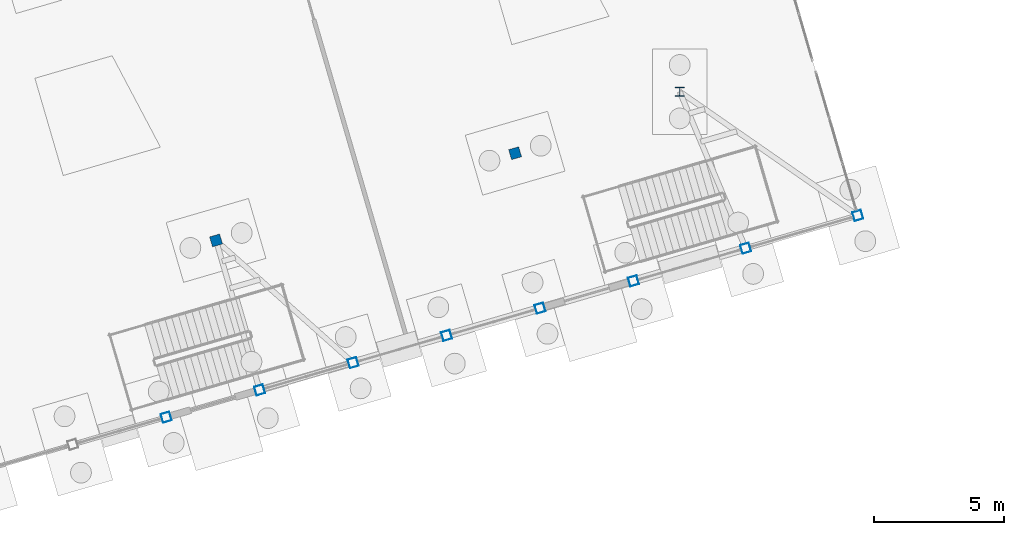
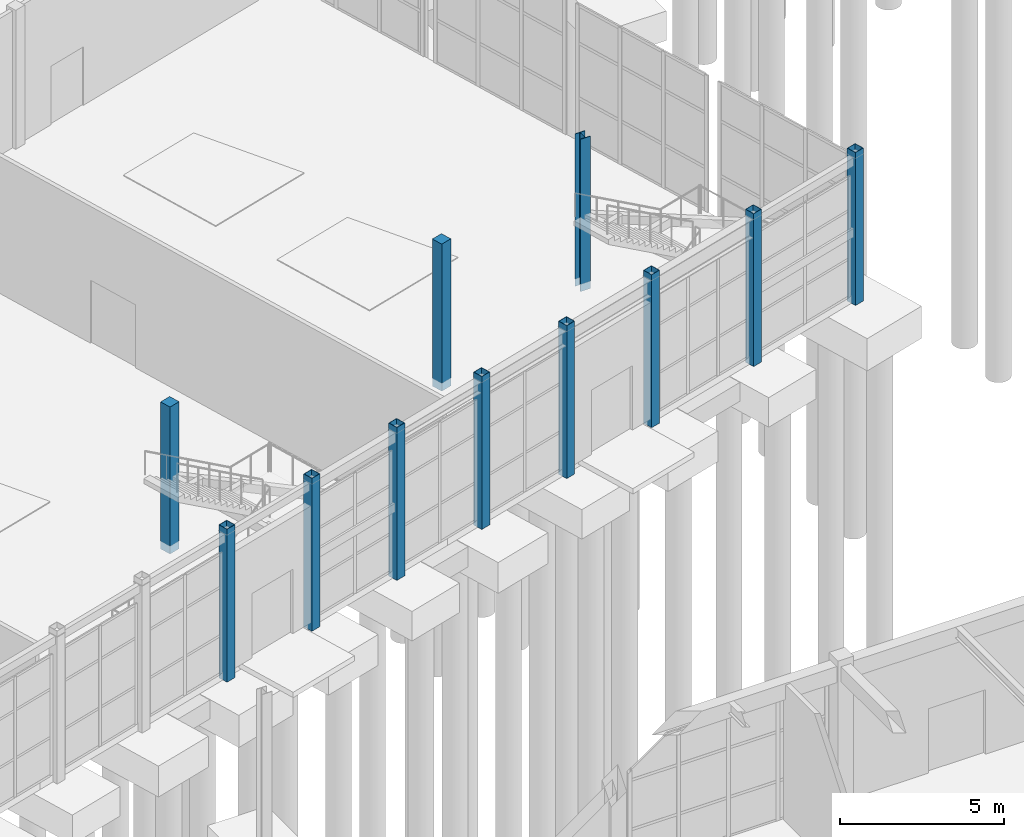
# One storey, part 8 of 90: 11 columns.
"""IFC4 building model written with IfcOpenShell, lengths in metres."""

from ifc_helpers import new_model, si_unit, direction, frame, origin, origin_2d, place, context, subcontext, project, spatial, rectangle, hollow_rectangle, i_section, extrude, material, material_profile, profile_set, type_object, element, save


model = new_model("IFC4")

# Units and contexts
model_context = context("Model", 3, precision=1e-05, world=origin(), true_north=direction((0.0, 1.0)))
body_context = subcontext(model_context, "Body", "Model", "MODEL_VIEW")
ifc_project = project(units=[si_unit("LENGTHUNIT", "METRE"), si_unit("AREAUNIT", "SQUARE_METRE"), si_unit("VOLUMEUNIT", "CUBIC_METRE"), si_unit("PLANEANGLEUNIT", "RADIAN"), si_unit("MASSUNIT", "GRAM", prefix="KILO")], contexts=[model_context])

# Site, building, storey
site_placement = place(None, origin())
site = spatial("IfcSite", under=ifc_project, at=site_placement, CompositionType="ELEMENT")
building_placement = place(site_placement, origin())
building = spatial("IfcBuilding", under=site, at=building_placement, Name="Canggui Botanical Conservatory", CompositionType="ELEMENT")
storey_placement = place(building_placement, origin())
storey = spatial("IfcBuildingStorey", under=building, at=storey_placement, Name="L01", CompositionType="ELEMENT", Elevation=0.0)

# Columns
ifc_material_1 = material(Name="Steel Q355C", Category="steel")
ifc_material_profile_1 = material_profile(ifc_material_1, hollow_rectangle(XDim=0.35009765625, YDim=0.35009765625, WallThickness=0.011962890625, at=origin_2d()), Name="SHS 350x350x12")
ifc_profile_set_1 = profile_set([ifc_material_profile_1], Name="Steel Q355C")
column_type_1 = type_object("IfcColumnType", Name="COL-GZ01", PredefinedType="COLUMN", material=ifc_profile_set_1)
for number, where, z_axis, x_axis, name in (
    (1, (45.199951171875, 49.35009765625, -0.300048828125), (0.0, 0.0, 1.0), (0.960000000041, 0.279999999861, 0.0), "Conservatory Perimeter Steel Column L01 R8-V0"),
    (2, (48.800048828125, 50.39990234375, -0.300048828125), (0.0, 0.0, 1.0), (0.960000000041, 0.279999999861, 0.0), "Conservatory Perimeter Steel Column L01 R9-V0"),
    (3, (52.39990234375, 51.449951171875, -0.300048828125), (0.0, 0.0, 1.0), (0.960000000041, 0.279999999861, 0.0), "Conservatory Perimeter Steel Column L01 R10-V0"),
    (4, (56.0, 52.5, -0.300048828125), (0.0, 0.0, 1.0), (0.960000000041, 0.279999999861, 0.0), "Conservatory Perimeter Steel Column L01 R11-V0"),
    (5, (59.60009765625, 53.550048828125, -0.300048828125), (0.0, 0.0, 1.0), (0.960000000041, 0.279999999861, 0.0), "Conservatory Perimeter Steel Column L01 R12-V0"),
    (6, (63.199951171875, 54.60009765625, -0.300048828125), (0.0, 0.0, 1.0), (0.960000000041, 0.279999999861, 0.0), "Conservatory Perimeter Steel Column L01 R13-V0"),
    (7, (67.52001953125, 55.860107421875, -0.300048828125), (0.0, 0.0, 1.0), (0.960000000041, 0.279999999861, 0.0), "Conservatory Perimeter Steel Column L01 R14-V0"),
    (8, (71.840087890625, 57.1201171875, -0.300048828125), (0.0, 0.0, 1.0), (0.960000000041, 0.279999999861, 0.0), "Conservatory Perimeter Steel Column L01 R15-V0"),
):
    element("IfcColumn", number, at=place(storey_placement, frame(where, z_axis=z_axis, x_axis=x_axis)), inside=storey, type_object=column_type_1, Name=name, PredefinedType="COLUMN", context=body_context, shape_type="SweptSolid", body=[
        extrude(hollow_rectangle(XDim=0.35009765625, YDim=0.35009765625, WallThickness=0.011962890625, at=origin_2d()), origin(), (0.0, 0.0, 1.0), 5.699951171875),
    ])
ifc_material_2 = material(Name="Steel Q355B", Category="steel")
ifc_material_profile_2 = material_profile(ifc_material_2, i_section(OverallWidth=0.35009765625, OverallDepth=0.35009765625, WebThickness=0.011962890625, FlangeThickness=0.01904296875, FilletRadius=0.02001953125, at=origin_2d()), Name="HW 350x350x12x19")
ifc_profile_set_2 = profile_set([ifc_material_profile_2], Name="Steel Q355B")
column_type_2 = type_object("IfcColumnType", Name="COL-GZ04", PredefinedType="COLUMN", material=ifc_profile_set_2)
column_placement = place(storey_placement, frame((64.97998046875, 61.889892578125, -0.280029296875), z_axis=(0.0, 0.0, 1.0), x_axis=(1.0, 0.0, 0.0)))
element("IfcColumn", 9, at=column_placement, inside=storey, type_object=column_type_2, Name="Skybridge Portal Steel Column (64.98,61.89)", PredefinedType="COLUMN", context=body_context, shape_type="SweptSolid", body=[
    extrude(i_section(OverallWidth=0.35009765625, OverallDepth=0.35009765625, WebThickness=0.011962890625, FlangeThickness=0.01904296875, FilletRadius=0.02001953125, at=origin_2d()), origin(), (0.0, 0.0, 1.0), 5.679931640625),
])
ifc_material_3 = material(Name="Concrete C35", Category="concrete")
ifc_material_profile_3 = material_profile(ifc_material_3, rectangle(XDim=0.39990234375, YDim=0.39990234375, at=origin_2d()), Name="RC 400x400")
ifc_profile_set_3 = profile_set([ifc_material_profile_3], Name="Concrete C35")
column_type_3 = type_object("IfcColumnType", Name="COL-KZ15", PredefinedType="COLUMN", material=ifc_profile_set_3)
for number, where, z_axis, x_axis, name in (
    (10, (47.1201171875, 56.159912109375, -0.300048828125), (0.0, 0.0, 1.0), (0.960000000041, 0.279999999861, 0.0), "Conservatory Skywalk Column 05"),
    (11, (58.639892578125, 59.52001953125, -0.300048828125), (0.0, 0.0, 1.0), (0.960000000041, 0.279999999861, 0.0), "Conservatory Skywalk Column 07"),
):
    element("IfcColumn", number, at=place(storey_placement, frame(where, z_axis=z_axis, x_axis=x_axis)), inside=storey, type_object=column_type_3, Name=name, PredefinedType="COLUMN", context=body_context, shape_type="SweptSolid", body=[
        extrude(rectangle(XDim=0.39990234375, YDim=0.39990234375, at=origin_2d()), origin(), (0.0, 0.0, 1.0), 5.47998046875),
    ])

save(model, "model.ifc")
